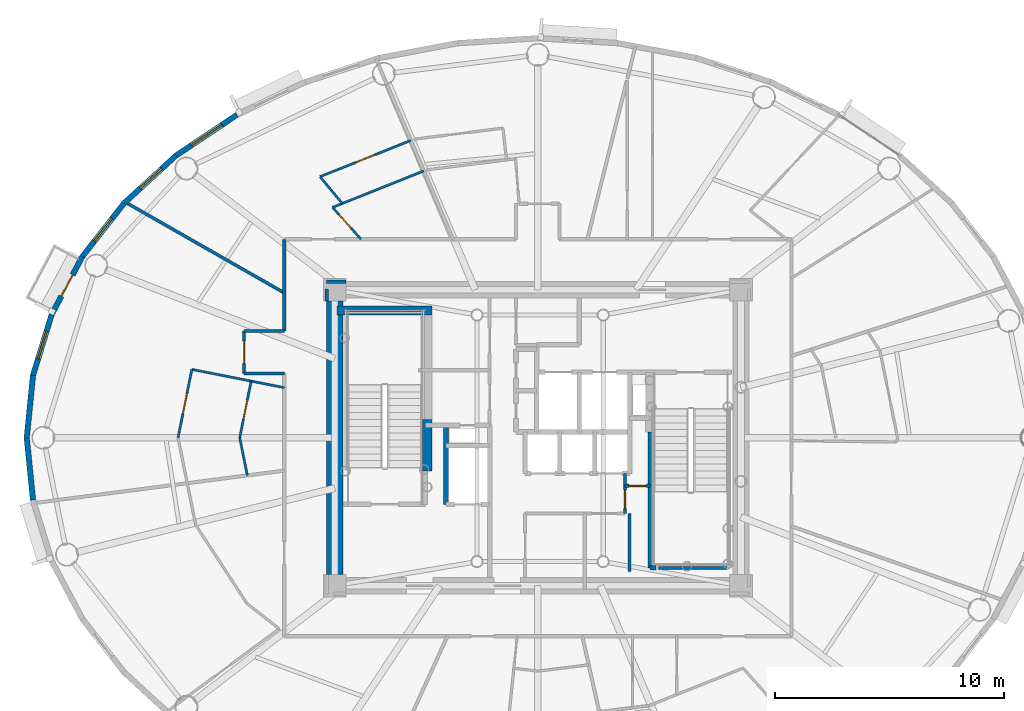
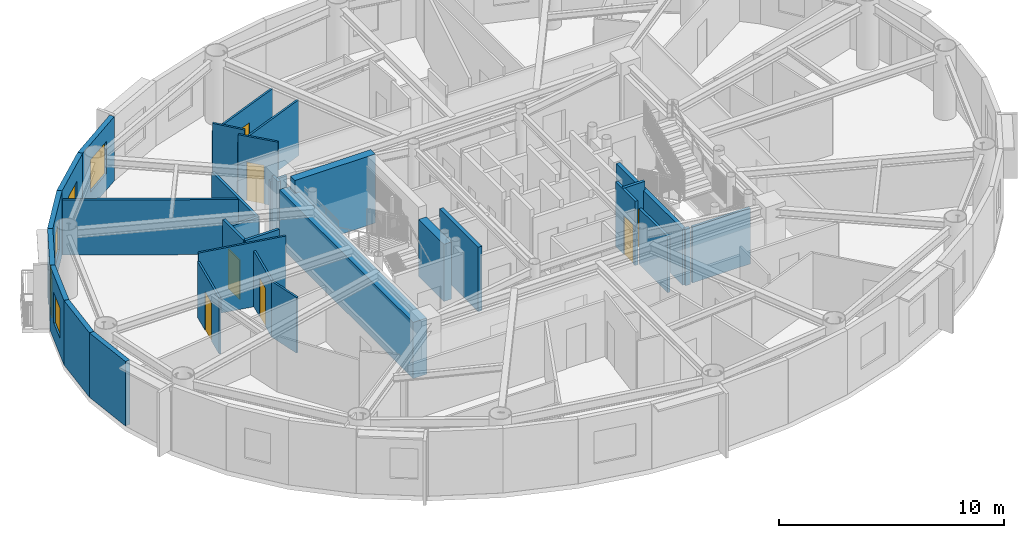
# One storey, part 6 of 17: 32 walls, 8 doors, 4 windows, 12 openings.
"""IFC4 building model written with IfcOpenShell, lengths in metres."""

from ifc_helpers import new_model, si_unit, direction, frame, frame_2d, origin, origin_2d, place, context, subcontext, project, spatial, rectangle, extrude, source, transform, mapped, material, layer, layer_set, type_object, element, fill, save


model = new_model("IFC4")

# Units and contexts
model_context = context("Model", 3, precision=1e-05, world=origin(), true_north=direction((0.0, 1.0)))
body_context = subcontext(model_context, "Body", "Model", "MODEL_VIEW")
ifc_project = project(units=[si_unit("LENGTHUNIT", "METRE"), si_unit("AREAUNIT", "SQUARE_METRE"), si_unit("VOLUMEUNIT", "CUBIC_METRE"), si_unit("PLANEANGLEUNIT", "RADIAN"), si_unit("MASSUNIT", "GRAM", prefix="KILO")], contexts=[model_context])

# Site, building, storey
site_placement = place(None, origin())
site = spatial("IfcSite", under=ifc_project, at=site_placement, CompositionType="ELEMENT")
building_placement = place(site_placement, origin())
building = spatial("IfcBuilding", under=site, at=building_placement, Name="Linh Dai School and Residence Tower", CompositionType="ELEMENT")
storey_placement = place(building_placement, frame((0.0, 0.0, 303.0)))
storey = spatial("IfcBuildingStorey", under=building, at=storey_placement, Name="L75", CompositionType="ELEMENT", Elevation=303.0)

# Wall, opening, window
ifc_material_1 = material(Name="Precast Concrete B45 (C35/45)", Category="concrete")
ifc_layer_1 = layer(ifc_material_1, 0.239990234375)
ifc_layer_set_1 = layer_set([ifc_layer_1], Name="Precast Concrete B45 (C35/45)")
wall_type_1 = type_object("IfcWallType", Name="EW-TC-240", PredefinedType="SOLIDWALL", material=ifc_layer_set_1)
wall_1_placement = place(storey_placement, frame((20.23779296875, 39.30419921875, 0.0), z_axis=(0.0, 0.0, 1.0), x_axis=(0.831250592635, 0.55589787933, 0.0)))
wall_1 = element("IfcWall", 1, at=wall_1_placement, inside=storey, type_object=wall_type_1, Name="L75 Terracotta Exterior Wall 15", PredefinedType="SOLIDWALL", context=body_context, shape_type="SweptSolid", body=[
    extrude(rectangle(XDim=3.197265625, YDim=0.239990234375, at=frame_2d((1.5986328125, 0.0))), origin(), (0.0, 0.0, 1.0), 3.5),
])
opening_1_placement = place(wall_1_placement, frame((0.798583984375, 0.0, 0.89990234375)))
opening_1 = element("IfcOpeningElement", 2, at=opening_1_placement, cuts=wall_1, Name="Opening W2", PredefinedType="OPENING", context=body_context, shape_type="SweptSolid", body=[
    extrude(rectangle(XDim=1.60009765625, YDim=1.75, at=origin_2d()), frame((0.800048828125, 0.1298828125, 0.875), z_axis=(0.0, -1.0, 0.0), x_axis=(1.0, 0.0, 0.0)), (0.0, 0.0, 1.0), 0.260009765625),
])
ifc_material_2 = material(Name="Double Low-E Insulated Glazing", Category="glass")
window_type_1 = type_object("IfcWindowType", Name="WN-RES-1600x1750", PartitioningType="DOUBLE_PANEL_VERTICAL", PredefinedType="WINDOW", material=ifc_material_2)
shared_shape_1 = source(origin(), body_context, "Body", "SweptSolid", [
    extrude(rectangle(XDim=1.60009765625, YDim=1.75, at=origin_2d()), frame((0.800048828125, 0.030029296875, 0.875), z_axis=(0.0, -1.0, 0.0), x_axis=(1.0, 0.0, 0.0)), (0.0, 0.0, 1.0), 0.06005859375),
])
window_1_placement = place(opening_1_placement, origin())
window_1 = element("IfcWindow", 3, at=window_1_placement, inside=storey, type_object=window_type_1, Name="L75 Exterior Window 15.1", OverallHeight=1.75, OverallWidth=1.60009765625, PartitioningType="DOUBLE_PANEL_VERTICAL", PredefinedType="WINDOW", context=body_context, shape_type="MappedRepresentation", body=[
    mapped(shared_shape_1, transform((0.0, 0.0, 0.0), x_axis=(1.0, 0.0, 0.0), y_axis=(0.0, 1.0, 0.0), z_axis=(0.0, 0.0, 1.0), scale=1.0)),
])
fill(opening_1, window_1)

wall_2_placement = place(storey_placement, frame((17.9697265625, 37.224609375, 0.0), z_axis=(0.0, 0.0, 1.0), x_axis=(0.737068506972, 0.675818034703, 0.0)))
wall_2 = element("IfcWall", 4, at=wall_2_placement, inside=storey, type_object=wall_type_1, Name="L75 Terracotta Exterior Wall 16", PredefinedType="SOLIDWALL", context=body_context, shape_type="SweptSolid", body=[
    extrude(rectangle(XDim=3.0771484375, YDim=0.239990234375, at=frame_2d((1.53857421875, 0.0))), origin(), (0.0, 0.0, 1.0), 3.5),
])
opening_2_placement = place(wall_2_placement, frame((0.96337890625, 0.0, 0.89990234375)))
opening_2 = element("IfcOpeningElement", 5, at=opening_2_placement, cuts=wall_2, Name="Opening W3", PredefinedType="OPENING", context=body_context, shape_type="SweptSolid", body=[
    extrude(rectangle(XDim=1.25, YDim=1.64990234375, at=origin_2d()), frame((0.625, 0.1298828125, 0.824951171875), z_axis=(0.0, -1.0, 0.0), x_axis=(1.0, 0.0, 0.0)), (0.0, 0.0, 1.0), 0.260009765625),
])
window_type_2 = type_object("IfcWindowType", Name="WN-RES-1250x1650", PartitioningType="SINGLE_PANEL", PredefinedType="WINDOW", material=ifc_material_2)
shared_shape_2 = source(origin(), body_context, "Body", "SweptSolid", [
    extrude(rectangle(XDim=1.25, YDim=1.64990234375, at=origin_2d()), frame((0.625, 0.030029296875, 0.824951171875), z_axis=(0.0, -1.0, 0.0), x_axis=(1.0, 0.0, 0.0)), (0.0, 0.0, 1.0), 0.06005859375),
])
window_2_placement = place(opening_2_placement, origin())
window_2 = element("IfcWindow", 6, at=window_2_placement, inside=storey, type_object=window_type_2, Name="L75 Exterior Window 16.1", OverallHeight=1.64990234375, OverallWidth=1.25, PartitioningType="SINGLE_PANEL", PredefinedType="WINDOW", context=body_context, shape_type="MappedRepresentation", body=[
    mapped(shared_shape_2, transform((0.0, 0.0, 0.0), x_axis=(1.0, 0.0, 0.0), y_axis=(0.0, 1.0, 0.0), z_axis=(0.0, 0.0, 1.0), scale=1.0)),
])
fill(opening_2, window_2)

wall_3_placement = place(storey_placement, frame((16.146240234375, 34.894775390625, 0.0), z_axis=(0.0, 0.0, 1.0), x_axis=(0.616337186556, 0.787482363275, 0.0)))
wall_3 = element("IfcWall", 7, at=wall_3_placement, inside=storey, type_object=wall_type_1, Name="L75 Terracotta Exterior Wall 17", PredefinedType="SOLIDWALL", context=body_context, shape_type="SweptSolid", body=[
    extrude(rectangle(XDim=2.95849609375, YDim=0.239990234375, at=frame_2d((1.479248046875, 0.0))), origin(), (0.0, 0.0, 1.0), 3.5),
])
opening_3_placement = place(wall_3_placement, frame((0.8544921875, 0.0, 0.89990234375)))
opening_3 = element("IfcOpeningElement", 8, at=opening_3_placement, cuts=wall_3, Name="Opening W3", PredefinedType="OPENING", context=body_context, shape_type="SweptSolid", body=[
    extrude(rectangle(XDim=1.25, YDim=1.64990234375, at=origin_2d()), frame((0.625, 0.1298828125, 0.824951171875), z_axis=(0.0, -1.0, 0.0), x_axis=(1.0, 0.0, 0.0)), (0.0, 0.0, 1.0), 0.260009765625),
])
window_3_placement = place(opening_3_placement, origin())
window_3 = element("IfcWindow", 9, at=window_3_placement, inside=storey, type_object=window_type_2, Name="L75 Exterior Window 17.1", OverallHeight=1.64990234375, OverallWidth=1.25, PartitioningType="SINGLE_PANEL", PredefinedType="WINDOW", context=body_context, shape_type="MappedRepresentation", body=[
    mapped(shared_shape_2, transform((0.0, 0.0, 0.0), x_axis=(1.0, 0.0, 0.0), y_axis=(0.0, 1.0, 0.0), z_axis=(0.0, 0.0, 1.0), scale=1.0)),
])
fill(opening_3, window_3)

# Wall, opening, door
wall_4_placement = place(storey_placement, frame((14.811767578125, 32.372314453125, 0.0), z_axis=(0.0, 0.0, 1.0), x_axis=(0.467628269026, 0.883925224218, 0.0)))
wall_4 = element("IfcWall", 10, at=wall_4_placement, inside=storey, type_object=wall_type_1, Name="L75 Terracotta Exterior Wall 18", PredefinedType="SOLIDWALL", context=body_context, shape_type="SweptSolid", body=[
    extrude(rectangle(XDim=2.853759765625, YDim=0.239990234375, at=frame_2d((1.4267578125, 0.0))), origin(), (0.0, 0.0, 1.0), 3.5),
])
opening_4_placement = place(wall_4_placement, frame((0.90185546875, 0.0, 0.0)))
opening_4 = element("IfcOpeningElement", 11, at=opening_4_placement, cuts=wall_4, Name="Opening BD1", PredefinedType="OPENING", context=body_context, shape_type="SweptSolid", body=[
    extrude(rectangle(XDim=1.050048828125, YDim=2.14990234375, at=origin_2d()), frame((0.52490234375, 0.1298828125, 1.074951171875), z_axis=(0.0, -1.0, 0.0), x_axis=(1.0, 0.0, 0.0)), (0.0, 0.0, 1.0), 0.260009765625),
])
ifc_material_3 = material(Name="Double-Glazed Balcony Door", Category="glass")
door_type_1 = type_object("IfcDoorType", Name="DR-BALC-1050x2150", OperationType="NOTDEFINED", PredefinedType="DOOR", material=ifc_material_3)
shared_shape_3 = source(origin(), body_context, "Body", "SweptSolid", [
    extrude(rectangle(XDim=1.050048828125, YDim=2.14990234375, at=origin_2d()), frame((0.52490234375, 0.02490234375, 1.074951171875), z_axis=(0.0, -1.0, 0.0), x_axis=(1.0, 0.0, 0.0)), (0.0, 0.0, 1.0), 0.050048828125),
])
door_1_placement = place(opening_4_placement, origin())
door_1 = element("IfcDoor", 12, at=door_1_placement, inside=storey, type_object=door_type_1, Name="L75 Glazed Balcony Door 18", OperationType="SINGLE_SWING_RIGHT", OverallHeight=2.14990234375, OverallWidth=1.050048828125, PredefinedType="DOOR", context=body_context, shape_type="MappedRepresentation", body=[
    mapped(shared_shape_3, transform((0.0, 0.0, 0.0), x_axis=(1.0, 0.0, 0.0), y_axis=(0.0, 1.0, 0.0), z_axis=(0.0, 0.0, 1.0), scale=1.0)),
])
fill(opening_4, door_1)

# Wall, opening, window
wall_5_placement = place(storey_placement, frame((13.998291015625, 29.718994140625, 0.0), z_axis=(0.0, 0.0, 1.0), x_axis=(0.2931213403, 0.956075248012, 0.0)))
wall_5 = element("IfcWall", 13, at=wall_5_placement, inside=storey, type_object=wall_type_1, Name="L75 Terracotta Exterior Wall 19", PredefinedType="SOLIDWALL", context=body_context, shape_type="SweptSolid", body=[
    extrude(rectangle(XDim=2.775146484375, YDim=0.239990234375, at=frame_2d((1.3876953125, 0.0))), origin(), (0.0, 0.0, 1.0), 3.5),
])
opening_5_placement = place(wall_5_placement, frame((0.7626953125, 0.0, 0.89990234375)))
opening_5 = element("IfcOpeningElement", 14, at=opening_5_placement, cuts=wall_5, Name="Opening W3", PredefinedType="OPENING", context=body_context, shape_type="SweptSolid", body=[
    extrude(rectangle(XDim=1.25, YDim=1.64990234375, at=origin_2d()), frame((0.625, 0.1298828125, 0.824951171875), z_axis=(0.0, -1.0, 0.0), x_axis=(1.0, 0.0, 0.0)), (0.0, 0.0, 1.0), 0.260009765625),
])
window_4_placement = place(opening_5_placement, origin())
window_4 = element("IfcWindow", 15, at=window_4_placement, inside=storey, type_object=window_type_2, Name="L75 Exterior Window 19.1", OverallHeight=1.64990234375, OverallWidth=1.25, PartitioningType="SINGLE_PANEL", PredefinedType="WINDOW", context=body_context, shape_type="MappedRepresentation", body=[
    mapped(shared_shape_2, transform((0.0, 0.0, 0.0), x_axis=(1.0, 0.0, 0.0), y_axis=(0.0, 1.0, 0.0), z_axis=(0.0, 0.0, 1.0), scale=1.0)),
])
fill(opening_5, window_4)

# Walls
for number, where, z_axis, x_axis, name in (
    (16, (13.72509765625, 27.0, 0.0), (0.0, 0.0, 1.0), (0.099972526841, 0.99499019788, 0.0), "L75 Terracotta Exterior Wall 20"),
    (17, (13.998291015625, 24.281005859375, 0.0), (0.0, 0.0, 1.0), (-0.099972526841, 0.99499019788, 0.0), "L75 Terracotta Exterior Wall 21"),
):
    element("IfcWall", number, at=place(storey_placement, frame(where, z_axis=z_axis, x_axis=x_axis)), inside=storey, type_object=wall_type_1, Name=name, PredefinedType="SOLIDWALL", context=body_context, shape_type="SweptSolid", body=[
        extrude(rectangle(XDim=2.732666015625, YDim=0.239990234375, at=frame_2d((1.3662109375, 0.0))), origin(), (0.0, 0.0, 1.0), 3.5),
    ])
ifc_material_4 = material(Name="Autoclaved Aerated Concrete Blockwork", Category="masonry")
ifc_layer_2 = layer(ifc_material_4, 0.135009765625)
ifc_layer_set_2 = layer_set([ifc_layer_2], Name="Autoclaved Aerated Concrete Blockwork")
wall_type_2 = type_object("IfcWallType", Name="IW-CORR-135-EI90", PredefinedType="PARTITIONING", material=ifc_layer_set_2)
wall_6_placement = place(storey_placement, frame((18.016357421875, 37.2744140625, 0.0), z_axis=(0.0, 0.0, 1.0), x_axis=(0.868277005727, -0.496079672357, 0.0)))
element("IfcWall", 18, at=wall_6_placement, inside=storey, type_object=wall_type_2, Name="L75 Interior Partition Wall 002", PredefinedType="PARTITIONING", context=body_context, shape_type="SweptSolid", body=[
    extrude(rectangle(XDim=7.9853515625, YDim=0.135009765625, at=frame_2d((3.99267578125, 0.0))), origin(), (0.0, 0.0, 1.0), 2.985107421875),
])

# Wall, opening, door
wall_7_placement = place(storey_placement, frame((23.199951171875, 29.800048828125, 0.0), z_axis=(0.0, 0.0, 1.0), x_axis=(0.0, 1.0, 0.0)))
wall_7 = element("IfcWall", 19, at=wall_7_placement, inside=storey, type_object=wall_type_2, Name="L75 Interior Partition Wall 011", PredefinedType="PARTITIONING", context=body_context, shape_type="SweptSolid", body=[
    extrude(rectangle(XDim=1.849853515625, YDim=0.135009765625, at=frame_2d((0.9248046875, 0.0))), origin(), (0.0, 0.0, 1.0), 3.5),
])
opening_6_placement = place(wall_7_placement, frame((0.425048828125, 0.0, 0.0)))
opening_6 = element("IfcOpeningElement", 20, at=opening_6_placement, cuts=wall_7, Name="Opening D03", PredefinedType="OPENING", context=body_context, shape_type="SweptSolid", body=[
    extrude(rectangle(XDim=1.0, YDim=2.14990234375, at=origin_2d()), frame((0.5, 0.07763671875, 1.074951171875), z_axis=(0.0, -1.0, 0.0), x_axis=(1.0, 0.0, 0.0)), (0.0, 0.0, 1.0), 0.155029296875),
])
ifc_material_5 = material(Name="Fire-Rated Solid Timber Entrance Door", Category="wood")
door_type_2 = type_object("IfcDoorType", Name="DR-FLAT-1000x2150-FD60S", OperationType="NOTDEFINED", PredefinedType="DOOR", material=ifc_material_5)
shared_shape_4 = source(origin(), body_context, "Body", "SweptSolid", [
    extrude(rectangle(XDim=1.0, YDim=2.14990234375, at=origin_2d()), frame((0.5, 0.02490234375, 1.074951171875), z_axis=(0.0, -1.0, 0.0), x_axis=(1.0, 0.0, 0.0)), (0.0, 0.0, 1.0), 0.050048828125),
])
door_2_placement = place(opening_6_placement, origin())
door_2 = element("IfcDoor", 21, at=door_2_placement, inside=storey, type_object=door_type_2, Name="L75 U7503 Apartment Entrance Door", OperationType="SINGLE_SWING_LEFT", OverallHeight=2.14990234375, OverallWidth=1.0, PredefinedType="DOOR", context=body_context, shape_type="MappedRepresentation", body=[
    mapped(shared_shape_4, transform((0.0, 0.0, 0.0), x_axis=(1.0, 0.0, 0.0), y_axis=(0.0, 1.0, 0.0), z_axis=(0.0, 0.0, 1.0), scale=1.0)),
])
fill(opening_6, door_2)

# Walls
wall_8_placement = place(storey_placement, frame((23.199951171875, 29.800048828125, 0.0), z_axis=(0.0, 0.0, 1.0), x_axis=(1.0, 0.0, 0.0)))
element("IfcWall", 22, at=wall_8_placement, inside=storey, type_object=wall_type_2, Name="L75 Interior Partition Wall 012", PredefinedType="PARTITIONING", context=body_context, shape_type="SweptSolid", body=[
    extrude(rectangle(XDim=1.75, YDim=0.135009765625, at=frame_2d((0.875, 0.0))), origin(), (0.0, 0.0, 1.0), 3.5),
])
wall_9_placement = place(storey_placement, frame((23.199951171875, 31.64990234375, 0.0), z_axis=(0.0, 0.0, 1.0), x_axis=(1.0, 0.0, 0.0)))
element("IfcWall", 23, at=wall_9_placement, inside=storey, type_object=wall_type_2, Name="L75 Interior Partition Wall 013", PredefinedType="PARTITIONING", context=body_context, shape_type="SweptSolid", body=[
    extrude(rectangle(XDim=1.75, YDim=0.135009765625, at=frame_2d((0.875, 0.0))), origin(), (0.0, 0.0, 1.0), 3.034912109375),
])
wall_10_placement = place(storey_placement, frame((24.949951171875, 31.64990234375, 0.0), z_axis=(0.0, 0.0, 1.0), x_axis=(0.0, 1.0, 0.0)))
element("IfcWall", 24, at=wall_10_placement, inside=storey, type_object=wall_type_2, Name="L75 Interior Partition Wall 018", PredefinedType="PARTITIONING", context=body_context, shape_type="SweptSolid", body=[
    extrude(rectangle(XDim=4.0, YDim=0.135009765625, at=frame_2d((2.0, 0.0))), origin(), (0.0, 0.0, 1.0), 3.034912109375),
])

# Wall, opening, door
wall_11_placement = place(storey_placement, frame((39.800048828125, 23.699951171875, 0.0), z_axis=(0.0, 0.0, 1.0), x_axis=(0.0, 1.0, 0.0)))
wall_11 = element("IfcWall", 25, at=wall_11_placement, inside=storey, type_object=wall_type_2, Name="L75 Interior Partition Wall 068", PredefinedType="PARTITIONING", context=body_context, shape_type="SweptSolid", body=[
    extrude(rectangle(XDim=1.75, YDim=0.135009765625, at=frame_2d((0.875, 0.0))), origin(), (0.0, 0.0, 1.0), 3.5),
])
opening_7_placement = place(wall_11_placement, frame((0.2099609375, 0.0, 0.0)))
opening_7 = element("IfcOpeningElement", 26, at=opening_7_placement, cuts=wall_11, Name="Opening D06", PredefinedType="OPENING", context=body_context, shape_type="SweptSolid", body=[
    extrude(rectangle(XDim=0.820068359375, YDim=2.10009765625, at=origin_2d()), frame((0.41015625, 0.07763671875, 1.050048828125), z_axis=(0.0, -1.0, 0.0), x_axis=(1.0, 0.0, 0.0)), (0.0, 0.0, 1.0), 0.155029296875),
])
ifc_material_6 = material(Name="Moisture-Resistant Timber Bathroom Door", Category="wood")
door_type_3 = type_object("IfcDoorType", Name="DR-WET-820x2100", OperationType="NOTDEFINED", PredefinedType="DOOR", material=ifc_material_6)
shared_shape_5 = source(origin(), body_context, "Body", "SweptSolid", [
    extrude(rectangle(XDim=0.820068359375, YDim=2.10009765625, at=origin_2d()), frame((0.41015625, 0.02490234375, 1.050048828125), z_axis=(0.0, -1.0, 0.0), x_axis=(1.0, 0.0, 0.0)), (0.0, 0.0, 1.0), 0.050048828125),
])
door_3_placement = place(opening_7_placement, origin())
door_3 = element("IfcDoor", 27, at=door_3_placement, inside=storey, type_object=door_type_3, Name="L75 SE Electrical Closet Door", OperationType="SINGLE_SWING_RIGHT", OverallHeight=2.10009765625, OverallWidth=0.820068359375, PredefinedType="DOOR", context=body_context, shape_type="MappedRepresentation", body=[
    mapped(shared_shape_5, transform((0.0, 0.0, 0.0), x_axis=(1.0, 0.0, 0.0), y_axis=(0.0, 1.0, 0.0), z_axis=(0.0, 0.0, 1.0), scale=1.0)),
])
fill(opening_7, door_3)

# Walls
wall_12_placement = place(storey_placement, frame((44.239990234375, 21.330078125, 0.0), z_axis=(0.0, 0.0, 1.0), x_axis=(-1.0, 0.0, 0.0)))
element("IfcWall", 28, at=wall_12_placement, inside=storey, type_object=wall_type_2, Name="L75 Interior Partition Wall 093", PredefinedType="PARTITIONING", context=body_context, shape_type="SweptSolid", body=[
    extrude(rectangle(XDim=2.97998046875, YDim=0.135009765625, at=frame_2d((1.489990234375, 0.0))), origin(), (0.0, 0.0, 1.0), 3.034912109375),
])
wall_13_placement = place(storey_placement, frame((40.0, 23.699951171875, 0.0), z_axis=(0.0, 0.0, 1.0), x_axis=(0.0, -1.0, 0.0)))
element("IfcWall", 29, at=wall_13_placement, inside=storey, type_object=wall_type_2, Name="L75 Interior Partition Wall 094", PredefinedType="PARTITIONING", context=body_context, shape_type="SweptSolid", body=[
    extrude(rectangle(XDim=2.5400390625, YDim=0.135009765625, at=frame_2d((1.27001953125, 0.0))), origin(), (0.0, 0.0, 1.0), 3.034912109375),
])
wall_14_placement = place(storey_placement, frame((27.639892578125, 33.800048828125, 0.0), z_axis=(0.0, 0.0, 1.0), x_axis=(-1.0, 0.0, 0.0)))
element("IfcWall", 30, at=wall_14_placement, inside=storey, type_object=wall_type_2, Name="L75 Interior Partition Wall 096", PredefinedType="PARTITIONING", context=body_context, shape_type="SweptSolid", body=[
    extrude(rectangle(XDim=0.83984375, YDim=0.135009765625, at=frame_2d((0.419921875, 0.0))), origin(), (0.0, 0.0, 1.0), 3.034912109375),
])
wall_15_placement = place(storey_placement, frame((26.800048828125, 33.492431640625, 0.0), z_axis=(0.0, 0.0, 1.0), x_axis=(0.0, -1.0, 0.0)))
element("IfcWall", 31, at=wall_15_placement, inside=storey, type_object=wall_type_2, Name="L75 Interior Partition Wall 097", PredefinedType="PARTITIONING", context=body_context, shape_type="SweptSolid", body=[
    extrude(rectangle(XDim=0.532470703125, YDim=0.135009765625, at=frame_2d((0.26611328125, 0.0))), origin(), (0.0, 0.0, 1.0), 3.5),
])

# Wall, opening, door
ifc_layer_3 = layer(ifc_material_4, 0.14990234375)
ifc_layer_set_3 = layer_set([ifc_layer_3], Name="Autoclaved Aerated Concrete Blockwork")
wall_type_3 = type_object("IfcWallType", Name="IW-SCH-150-EI60", PredefinedType="PARTITIONING", material=ifc_layer_set_3)
wall_16_placement = place(storey_placement, frame((39.800048828125, 24.89990234375, 0.0), z_axis=(0.0, 0.0, 1.0), x_axis=(1.0, 0.0, 0.0)))
wall_16 = element("IfcWall", 32, at=wall_16_placement, inside=storey, type_object=wall_type_3, Name="L75 Interior Partition Wall 069", PredefinedType="PARTITIONING", context=body_context, shape_type="SweptSolid", body=[
    extrude(rectangle(XDim=1.099853515625, YDim=0.14990234375, at=frame_2d((0.5498046875, 0.0))), origin(), (0.0, 0.0, 1.0), 3.5),
])
opening_8_placement = place(wall_16_placement, frame((0.169921875, 0.0, 0.0)))
opening_8 = element("IfcOpeningElement", 33, at=opening_8_placement, cuts=wall_16, Name="Opening D08", PredefinedType="OPENING", context=body_context, shape_type="SweptSolid", body=[
    extrude(rectangle(XDim=0.760009765625, YDim=2.10009765625, at=origin_2d()), frame((0.3798828125, 0.0849609375, 1.050048828125), z_axis=(0.0, -1.0, 0.0), x_axis=(1.0, 0.0, 0.0)), (0.0, 0.0, 1.0), 0.169921875),
])
ifc_material_7 = material(Name="Engineered Timber Closet and Study Door", Category="wood")
door_type_4 = type_object("IfcDoorType", Name="DR-CMP-760x2100", OperationType="NOTDEFINED", PredefinedType="DOOR", material=ifc_material_7)
shared_shape_6 = source(origin(), body_context, "Body", "SweptSolid", [
    extrude(rectangle(XDim=0.760009765625, YDim=2.10009765625, at=origin_2d()), frame((0.3798828125, 0.02490234375, 1.050048828125), z_axis=(0.0, -1.0, 0.0), x_axis=(1.0, 0.0, 0.0)), (0.0, 0.0, 1.0), 0.050048828125),
])
door_4_placement = place(opening_8_placement, origin())
door_4 = element("IfcDoor", 34, at=door_4_placement, inside=storey, type_object=door_type_4, Name="L75 NE Equipment Store Door", OperationType="SINGLE_SWING_LEFT", OverallHeight=2.10009765625, OverallWidth=0.760009765625, PredefinedType="DOOR", context=body_context, shape_type="MappedRepresentation", body=[
    mapped(shared_shape_6, transform((0.0, 0.0, 0.0), x_axis=(1.0, 0.0, 0.0), y_axis=(0.0, 1.0, 0.0), z_axis=(0.0, 0.0, 1.0), scale=1.0)),
])
fill(opening_8, door_4)

# Walls
ifc_material_8 = material(Name="Concrete B45 (C35/45)", Category="concrete")
ifc_layer_4 = layer(ifc_material_8, 0.199951171875)
ifc_layer_set_4 = layer_set([ifc_layer_4], Name="Concrete B45 (C35/45)")
wall_type_4 = type_object("IfcWallType", Name="IW-SHAFT-200-EI120", PredefinedType="PARTITIONING", material=ifc_layer_set_4)
wall_17_placement = place(storey_placement, frame((32.0, 24.10009765625, 0.0), z_axis=(0.0, 0.0, 1.0), x_axis=(0.0, 1.0, 0.0)))
element("IfcWall", 35, at=wall_17_placement, inside=storey, type_object=wall_type_4, Name="L75 Interior Partition Wall 032", PredefinedType="PARTITIONING", context=body_context, shape_type="SweptSolid", body=[
    extrude(rectangle(XDim=3.449951171875, YDim=0.199951171875, at=frame_2d((1.72509765625, 0.0))), origin(), (0.0, 0.0, 1.0), 3.5),
])
wall_18_placement = place(storey_placement, frame((40.89990234375, 21.330078125, 0.0), z_axis=(0.0, 0.0, 1.0), x_axis=(0.0, 1.0, 0.0)))
element("IfcWall", 36, at=wall_18_placement, inside=storey, type_object=wall_type_4, Name="L75 Interior Partition Wall 076", PredefinedType="PARTITIONING", context=body_context, shape_type="SweptSolid", body=[
    extrude(rectangle(XDim=5.909912109375, YDim=0.199951171875, at=frame_2d((2.955078125, 0.0))), origin(), (0.0, 0.0, 1.0), 3.034912109375),
])
wall_19_placement = place(storey_placement, frame((40.89990234375, 21.330078125, 0.0), z_axis=(0.0, 0.0, 1.0), x_axis=(1.0, 0.0, 0.0)))
element("IfcWall", 37, at=wall_19_placement, inside=storey, type_object=wall_type_4, Name="L75 Interior Partition Wall 077", PredefinedType="PARTITIONING", context=body_context, shape_type="SweptSolid", body=[
    extrude(rectangle(XDim=0.25, YDim=0.199951171875, at=frame_2d((0.125, 0.0))), origin(), (0.0, 0.0, 1.0), 3.034912109375),
])

# Wall, opening, door
ifc_material_9 = material(Name="Gypsum Plasterboard Acoustic Stud Partition", Category="masonry")
ifc_layer_5 = layer(ifc_material_9, 0.10009765625)
ifc_layer_set_5 = layer_set([ifc_layer_5], Name="Gypsum Plasterboard Acoustic Stud Partition")
wall_type_5 = type_object("IfcWallType", Name="IW-UNIT-100", PredefinedType="PARTITIONING", material=ifc_layer_set_5)
wall_20_placement = place(storey_placement, frame((20.320068359375, 27.0, 0.0), z_axis=(0.0, 0.0, 1.0), x_axis=(0.198201469781, 0.980161301713, 0.0)))
wall_20 = element("IfcWall", 38, at=wall_20_placement, inside=storey, type_object=wall_type_5, Name="L75 Interior Partition Wall 004", PredefinedType="PARTITIONING", context=body_context, shape_type="SweptSolid", body=[
    extrude(rectangle(XDim=3.038818359375, YDim=0.10009765625, at=frame_2d((1.51953125, 0.0))), origin(), (0.0, 0.0, 1.0), 3.034912109375),
])
opening_9_placement = place(wall_20_placement, frame((1.0693359375, 0.0, 0.0)))
opening_9 = element("IfcOpeningElement", 39, at=opening_9_placement, cuts=wall_20, Name="Opening D05", PredefinedType="OPENING", context=body_context, shape_type="SweptSolid", body=[
    extrude(rectangle(XDim=0.89990234375, YDim=2.10009765625, at=origin_2d()), frame((0.449951171875, 0.06005859375, 1.050048828125), z_axis=(0.0, -1.0, 0.0), x_axis=(1.0, 0.0, 0.0)), (0.0, 0.0, 1.0), 0.1201171875),
])
ifc_material_10 = material(Name="Engineered Timber Internal Door", Category="wood")
door_type_5 = type_object("IfcDoorType", Name="DR-INT-900x2100", OperationType="NOTDEFINED", PredefinedType="DOOR", material=ifc_material_10)
shared_shape_7 = source(origin(), body_context, "Body", "SweptSolid", [
    extrude(rectangle(XDim=0.89990234375, YDim=2.10009765625, at=origin_2d()), frame((0.449951171875, 0.02490234375, 1.050048828125), z_axis=(0.0, -1.0, 0.0), x_axis=(1.0, 0.0, 0.0)), (0.0, 0.0, 1.0), 0.050048828125),
])
door_5_placement = place(opening_9_placement, origin())
door_5 = element("IfcDoor", 40, at=door_5_placement, inside=storey, type_object=door_type_5, Name="L75 Apartment U7503 Kitchen Door", OperationType="SINGLE_SWING_RIGHT", OverallHeight=2.10009765625, OverallWidth=0.89990234375, PredefinedType="DOOR", context=body_context, shape_type="MappedRepresentation", body=[
    mapped(shared_shape_7, transform((0.0, 0.0, 0.0), x_axis=(1.0, 0.0, 0.0), y_axis=(0.0, 1.0, 0.0), z_axis=(0.0, 0.0, 1.0), scale=1.0)),
])
fill(opening_9, door_5)

# Walls
wall_21_placement = place(storey_placement, frame((20.92236328125, 29.978515625, 0.0), z_axis=(0.0, 0.0, 1.0), x_axis=(0.981042206934, -0.19379419035, 0.0)))
element("IfcWall", 41, at=wall_21_placement, inside=storey, type_object=wall_type_5, Name="L75 Interior Partition Wall 006", PredefinedType="PARTITIONING", context=body_context, shape_type="SweptSolid", body=[
    extrude(rectangle(XDim=4.105712890625, YDim=0.10009765625, at=frame_2d((2.052734375, 0.0))), origin(), (0.0, 0.0, 1.0), 3.5),
])
wall_22_placement = place(storey_placement, frame((23.008056640625, 27.0, 0.0), z_axis=(0.0, 0.0, 1.0), x_axis=(0.198189512146, -0.980163719628, 0.0)))
element("IfcWall", 42, at=wall_22_placement, inside=storey, type_object=wall_type_5, Name="L75 Interior Partition Wall 009", PredefinedType="PARTITIONING", context=body_context, shape_type="SweptSolid", body=[
    extrude(rectangle(XDim=1.67529296875, YDim=0.10009765625, at=frame_2d((0.837646484375, 0.0))), origin(), (0.0, 0.0, 1.0), 3.034912109375),
])

# Wall, opening, door
wall_23_placement = place(storey_placement, frame((23.008056640625, 27.0, 0.0), z_axis=(0.0, 0.0, 1.0), x_axis=(0.19818541272, 0.980164548525, 0.0)))
wall_23 = element("IfcWall", 43, at=wall_23_placement, inside=storey, type_object=wall_type_5, Name="L75 Interior Partition Wall 010", PredefinedType="PARTITIONING", context=body_context, shape_type="SweptSolid", body=[
    extrude(rectangle(XDim=2.51806640625, YDim=0.10009765625, at=frame_2d((1.259033203125, 0.0))), origin(), (0.0, 0.0, 1.0), 3.034912109375),
])
opening_10_placement = place(wall_23_placement, frame((0.84912109375, 0.0, 0.0)))
opening_10 = element("IfcOpeningElement", 44, at=opening_10_placement, cuts=wall_23, Name="Opening D06", PredefinedType="OPENING", context=body_context, shape_type="SweptSolid", body=[
    extrude(rectangle(XDim=0.820068359375, YDim=2.10009765625, at=origin_2d()), frame((0.41015625, 0.06005859375, 1.050048828125), z_axis=(0.0, -1.0, 0.0), x_axis=(1.0, 0.0, 0.0)), (0.0, 0.0, 1.0), 0.1201171875),
])
door_6_placement = place(opening_10_placement, origin())
door_6 = element("IfcDoor", 45, at=door_6_placement, inside=storey, type_object=door_type_3, Name="L75 Apartment U7503 Bathroom Door", OperationType="SINGLE_SWING_LEFT", OverallHeight=2.10009765625, OverallWidth=0.820068359375, PredefinedType="DOOR", context=body_context, shape_type="MappedRepresentation", body=[
    mapped(shared_shape_5, transform((0.0, 0.0, 0.0), x_axis=(1.0, 0.0, 0.0), y_axis=(0.0, 1.0, 0.0), z_axis=(0.0, 0.0, 1.0), scale=1.0)),
])
fill(opening_10, door_6)

# Wall
wall_24_placement = place(storey_placement, frame((26.507080078125, 38.378173828125, 0.0), z_axis=(0.0, 0.0, 1.0), x_axis=(0.640626707989, -0.767852473468, 0.0)))
element("IfcWall", 46, at=wall_24_placement, inside=storey, type_object=wall_type_5, Name="L75 Interior Partition Wall 020", PredefinedType="PARTITIONING", context=body_context, shape_type="SweptSolid", body=[
    extrude(rectangle(XDim=1.519775390625, YDim=0.10009765625, at=frame_2d((0.759765625, 0.0))), origin(), (0.0, 0.0, 1.0), 3.5),
])

# Wall, opening, door
wall_25_placement = place(storey_placement, frame((26.507080078125, 38.378173828125, 0.0), z_axis=(0.0, 0.0, 1.0), x_axis=(0.928788495711, 0.370610213345, 0.0)))
wall_25 = element("IfcWall", 47, at=wall_25_placement, inside=storey, type_object=wall_type_5, Name="L75 Interior Partition Wall 021", PredefinedType="PARTITIONING", context=body_context, shape_type="SweptSolid", body=[
    extrude(rectangle(XDim=4.261474609375, YDim=0.10009765625, at=frame_2d((2.130859375, 0.0))), origin(), (0.0, 0.0, 1.0), 3.034912109375),
])
opening_11_placement = place(wall_25_placement, frame((1.680908203125, 0.0, 0.0)))
opening_11 = element("IfcOpeningElement", 48, at=opening_11_placement, cuts=wall_25, Name="Opening D05", PredefinedType="OPENING", context=body_context, shape_type="SweptSolid", body=[
    extrude(rectangle(XDim=0.89990234375, YDim=2.10009765625, at=origin_2d()), frame((0.449951171875, 0.06005859375, 1.050048828125), z_axis=(0.0, -1.0, 0.0), x_axis=(1.0, 0.0, 0.0)), (0.0, 0.0, 1.0), 0.1201171875),
])
door_7_placement = place(opening_11_placement, origin())
door_7 = element("IfcDoor", 49, at=door_7_placement, inside=storey, type_object=door_type_5, Name="L75 Apartment U7502 Kitchen Door", OperationType="SINGLE_SWING_RIGHT", OverallHeight=2.10009765625, OverallWidth=0.89990234375, PredefinedType="DOOR", context=body_context, shape_type="MappedRepresentation", body=[
    mapped(shared_shape_7, transform((0.0, 0.0, 0.0), x_axis=(1.0, 0.0, 0.0), y_axis=(0.0, 1.0, 0.0), z_axis=(0.0, 0.0, 1.0), scale=1.0)),
])
fill(opening_11, door_7)

wall_26_placement = place(storey_placement, frame((27.054931640625, 37.04150390625, 0.0), z_axis=(0.0, 0.0, 1.0), x_axis=(0.665119722178, -0.746736737525, 0.0)))
wall_26 = element("IfcWall", 50, at=wall_26_placement, inside=storey, type_object=wall_type_5, Name="L75 Interior Partition Wall 022", PredefinedType="PARTITIONING", context=body_context, shape_type="SweptSolid", body=[
    extrude(rectangle(XDim=1.863525390625, YDim=0.10009765625, at=frame_2d((0.931640625, 0.0))), origin(), (0.0, 0.0, 1.0), 3.5),
])
opening_12_placement = place(wall_26_placement, frame((0.401123046875, 0.0, 0.0)))
opening_12 = element("IfcOpeningElement", 51, at=opening_12_placement, cuts=wall_26, Name="Opening D06", PredefinedType="OPENING", context=body_context, shape_type="SweptSolid", body=[
    extrude(rectangle(XDim=0.820068359375, YDim=2.10009765625, at=origin_2d()), frame((0.41015625, 0.06005859375, 1.050048828125), z_axis=(0.0, -1.0, 0.0), x_axis=(1.0, 0.0, 0.0)), (0.0, 0.0, 1.0), 0.1201171875),
])
door_8_placement = place(opening_12_placement, origin())
door_8 = element("IfcDoor", 52, at=door_8_placement, inside=storey, type_object=door_type_3, Name="L75 Apartment U7502 Bathroom Door", OperationType="SINGLE_SWING_LEFT", OverallHeight=2.10009765625, OverallWidth=0.820068359375, PredefinedType="DOOR", context=body_context, shape_type="MappedRepresentation", body=[
    mapped(shared_shape_5, transform((0.0, 0.0, 0.0), x_axis=(1.0, 0.0, 0.0), y_axis=(0.0, 1.0, 0.0), z_axis=(0.0, 0.0, 1.0), scale=1.0)),
])
fill(opening_12, door_8)

# Walls
wall_27_placement = place(storey_placement, frame((27.054931640625, 37.04150390625, 0.0), z_axis=(0.0, 0.0, 1.0), x_axis=(0.928814416372, 0.370545246819, 0.0)))
element("IfcWall", 53, at=wall_27_placement, inside=storey, type_object=wall_type_5, Name="L75 Interior Partition Wall 023", PredefinedType="PARTITIONING", context=body_context, shape_type="SweptSolid", body=[
    extrude(rectangle(XDim=4.28271484375, YDim=0.10009765625, at=frame_2d((2.141357421875, 0.0))), origin(), (0.0, 0.0, 1.0), 3.034912109375),
])
ifc_layer_6 = layer(ifc_material_8, 0.39990234375)
ifc_layer_set_6 = layer_set([ifc_layer_6], Name="Concrete B45 (C35/45)")
wall_type_6 = type_object("IfcWallType", Name="WL-CORE400", PredefinedType="SHEAR", material=ifc_layer_set_6)
wall_28_placement = place(storey_placement, frame((27.25, 32.550048828125, 0.0), z_axis=(0.0, 0.0, 1.0), x_axis=(1.0, 0.0, 0.0)))
element("IfcWall", 54, at=wall_28_placement, inside=storey, type_object=wall_type_6, Name="L75 Core Stair ST1 Bearing Wall N", PredefinedType="SHEAR", context=body_context, shape_type="SweptSolid", body=[
    extrude(rectangle(XDim=4.1298828125, YDim=0.39990234375, at=frame_2d((2.06494140625, 0.0))), origin(), (0.0, 0.0, 1.0), 3.75),
])
wall_29_placement = place(storey_placement, frame((31.179931640625, 25.550048828125, 0.0), z_axis=(0.0, 0.0, 1.0), x_axis=(0.0, 1.0, 0.0)))
element("IfcWall", 55, at=wall_29_placement, inside=storey, type_object=wall_type_6, Name="L75 Internal Core Shear Wall IW", PredefinedType="SHEAR", context=body_context, shape_type="SweptSolid", body=[
    extrude(rectangle(XDim=2.25, YDim=0.39990234375, at=frame_2d((1.125, 0.0))), origin(), (0.0, 0.0, 1.0), 3.10009765625),
])
ifc_layer_7 = layer(ifc_material_8, 0.699951171875)
ifc_layer_set_7 = layer_set([ifc_layer_7], Name="Concrete B45 (C35/45)")
wall_type_7 = type_object("IfcWallType", Name="WL-CORE700", PredefinedType="SHEAR", material=ifc_layer_set_7)
wall_30_placement = place(storey_placement, frame((27.14990234375, 21.050048828125, 0.0), z_axis=(0.0, 0.0, 1.0), x_axis=(0.0, 1.0, 0.0)))
element("IfcWall", 56, at=wall_30_placement, inside=storey, type_object=wall_type_7, Name="L75 Central Core Shear Wall W", PredefinedType="SHEAR", context=body_context, shape_type="SweptSolid", body=[
    extrude(rectangle(XDim=11.89990234375, YDim=0.699951171875, at=frame_2d((5.949951171875, 0.0))), origin(), (0.0, 0.0, 1.0), 3.050048828125),
])

save(model, "model.ifc")
